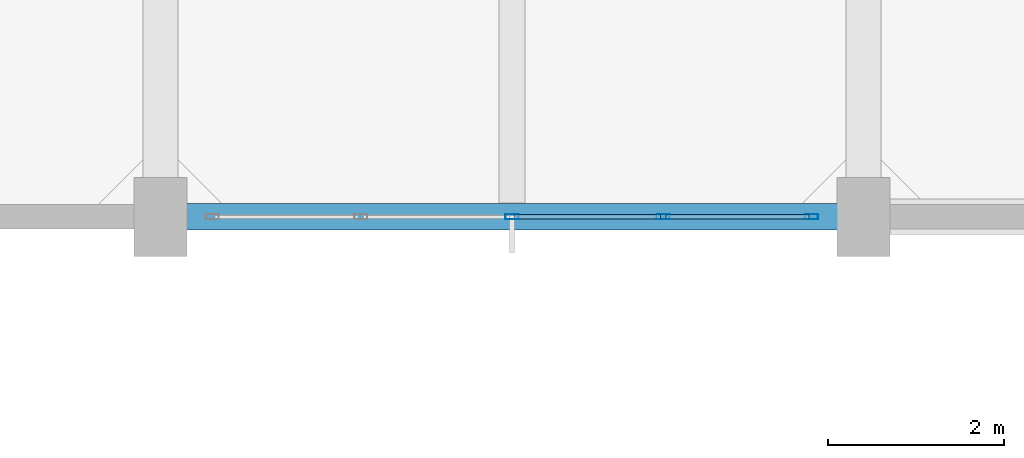
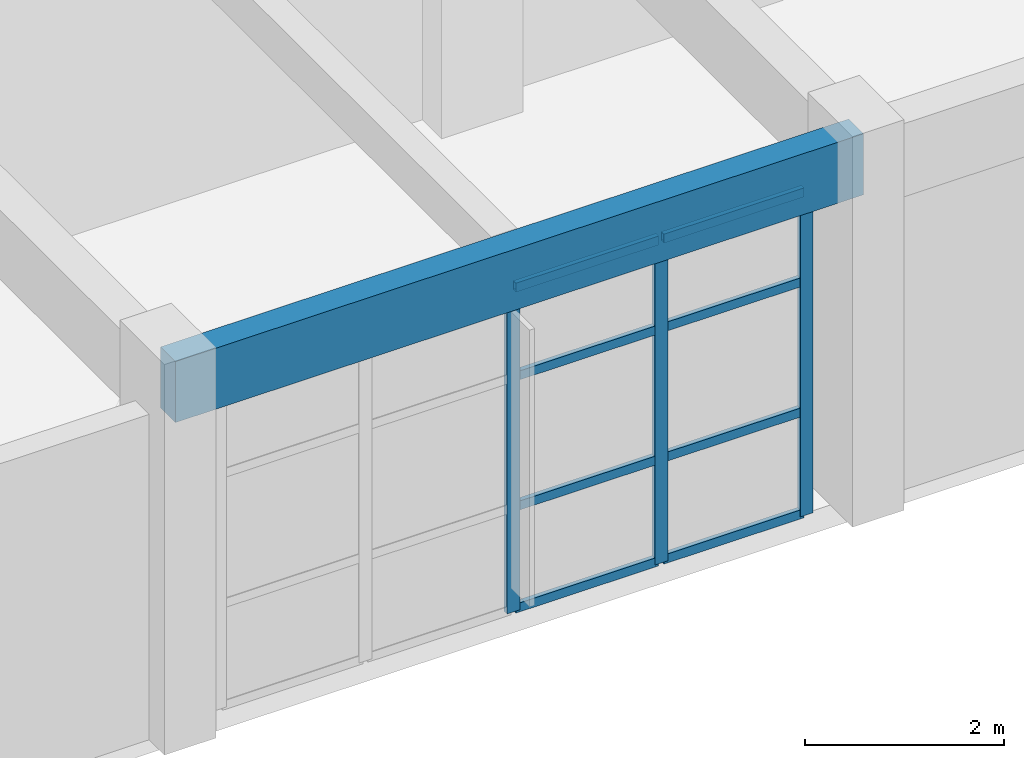
# One storey, part 11 of 63: 11 members, 1 beam, 1 element without a shape of its own.
"""IFC4 building model written with IfcOpenShell, lengths in metres."""

from ifc_helpers import new_model, si_unit, direction, frame, origin, origin_2d, place, context, subcontext, project, spatial, rectangle, hollow_rectangle, extrude, material, layer, layer_set, material_profile, profile_set, type_object, element, aggregate, save


model = new_model("IFC4")

# Units and contexts
model_context = context("Model", 3, precision=1e-05, world=origin(), true_north=direction((0.0, 1.0)))
body_context = subcontext(model_context, "Body", "Model", "MODEL_VIEW")
ifc_project = project(units=[si_unit("LENGTHUNIT", "METRE"), si_unit("AREAUNIT", "SQUARE_METRE"), si_unit("VOLUMEUNIT", "CUBIC_METRE"), si_unit("PLANEANGLEUNIT", "RADIAN"), si_unit("MASSUNIT", "GRAM", prefix="KILO")], contexts=[model_context])

# Site, building, storey
site_placement = place(None, origin())
site = spatial("IfcSite", under=ifc_project, at=site_placement, CompositionType="ELEMENT")
building_placement = place(site_placement, origin())
building = spatial("IfcBuilding", under=site, at=building_placement, Name="Canggui Botanical Conservatory", CompositionType="ELEMENT")
storey_placement = place(building_placement, frame((0.0, 0.0, 10.199951171875)))
storey = spatial("IfcBuildingStorey", under=building, at=storey_placement, Name="L03", CompositionType="ELEMENT", Elevation=10.199951171875)

# Beam
ifc_material_1 = material(Name="Concrete C35", Category="concrete")
ifc_material_profile_1 = material_profile(ifc_material_1, rectangle(XDim=0.300048828125, YDim=0.75, at=origin_2d()), Name="RB 300x750")
ifc_profile_set_1 = profile_set([ifc_material_profile_1], Name="Concrete C35")
beam_type = type_object("IfcBeamType", Name="BM-SPD01", PredefinedType="SPANDREL", material=ifc_profile_set_1)
beam_placement = place(storey_placement, frame((138.0, 26.0, 4.175048828125), z_axis=(1.0, 0.0, 0.0), x_axis=(0.0, 1.0, 0.0)))
element("IfcBeam", 1, at=beam_placement, inside=storey, type_object=beam_type, Name="Frame Girder L03 Y26-1", PredefinedType="SPANDREL", context=body_context, shape_type="SweptSolid", body=[
    extrude(rectangle(XDim=0.300048828125, YDim=0.75, at=origin_2d()), origin(), (0.0, 0.0, 1.0), 8.0),
])

# Curtain wall, members
ifc_material_2 = material(Name="Thermally Broken Aluminium", Category="aluminium")
ifc_layer = layer(ifc_material_2, 0.14990234375, Name="Thermally Broken Aluminium", Category="aluminium")
ifc_layer_set = layer_set([ifc_layer], Name="Thermally Broken Aluminium")
curtain_wall_type = type_object("IfcCurtainWallType", Name="CW-UNIT-C", PredefinedType="USERDEFINED", material=ifc_layer_set)
curtain_wall_placement = place(storey_placement, origin())
curtain_wall = element("IfcCurtainWall", 2, at=curtain_wall_placement, inside=storey, type_object=curtain_wall_type, Name="Facade Curtain Wall CW-TWR-L03-05", ObjectType="UNITISED CURTAIN WALL", PredefinedType="USERDEFINED")
ifc_material_profile_2 = material_profile(ifc_material_2, hollow_rectangle(XDim=0.06005859375, YDim=0.14990234375, WallThickness=0.00341796875, at=origin_2d()), Name="CWM 60x150x3.5")
ifc_profile_set_2 = profile_set([ifc_material_profile_2], Name="Thermally Broken Aluminium")
member_type_1 = type_object("IfcMemberType", Name="CWM-03", PredefinedType="MULLION", material=ifc_profile_set_2)
member_1_placement = place(storey_placement, frame((145.409912109375, 26.0, 0.0), z_axis=(0.0, 0.0, 1.0), x_axis=(0.0, -1.0, 0.0)))
member_1 = element("IfcMember", 3, at=member_1_placement, type_object=member_type_1, Name="CW-03 mullion 1", PredefinedType="MULLION", context=body_context, shape_type="SweptSolid", body=[
    extrude(hollow_rectangle(XDim=0.06005859375, YDim=0.14990234375, WallThickness=0.00341796875, at=origin_2d()), origin(), (0.0, 0.0, 1.0), 4.0),
])
member_2_placement = place(storey_placement, frame((143.719970703125, 26.0, 0.0), z_axis=(0.0, 0.0, 1.0), x_axis=(0.0, -1.0, 0.0)))
member_2 = element("IfcMember", 4, at=member_2_placement, type_object=member_type_1, Name="CW-03 mullion 2", PredefinedType="MULLION", context=body_context, shape_type="SweptSolid", body=[
    extrude(hollow_rectangle(XDim=0.06005859375, YDim=0.14990234375, WallThickness=0.00341796875, at=origin_2d()), origin(), (0.0, 0.0, 1.0), 4.0),
])
member_3_placement = place(storey_placement, frame((142.0, 26.0, 0.0), z_axis=(0.0, 0.0, 1.0), x_axis=(0.0, -1.0, 0.0)))
member_3 = element("IfcMember", 5, at=member_3_placement, type_object=member_type_1, Name="CW-03 mullion 3", PredefinedType="MULLION", context=body_context, shape_type="SweptSolid", body=[
    extrude(hollow_rectangle(XDim=0.06005859375, YDim=0.14990234375, WallThickness=0.00341796875, at=origin_2d()), origin(), (0.0, 0.0, 1.0), 4.0),
])
ifc_material_profile_3 = material_profile(ifc_material_2, hollow_rectangle(XDim=0.054931640625, YDim=0.110107421875, WallThickness=0.0029296875, at=origin_2d()), Name="CWT 55x110x3")
ifc_profile_set_3 = profile_set([ifc_material_profile_3], Name="Thermally Broken Aluminium")
member_type_2 = type_object("IfcMemberType", Name="CWT-03", PredefinedType="USERDEFINED", material=ifc_profile_set_3)
member_4_placement = place(storey_placement, frame((145.3798828125, 26.0, 0.027587890625), z_axis=(-1.0, 0.0, 0.0), x_axis=(0.0, -1.0, 0.0)))
member_4 = element("IfcMember", 6, at=member_4_placement, type_object=member_type_2, Name="CW-03 transom 1.1", ObjectType="TRANSOM", PredefinedType="USERDEFINED", context=body_context, shape_type="SweptSolid", body=[
    extrude(hollow_rectangle(XDim=0.054931640625, YDim=0.110107421875, WallThickness=0.0029296875, at=origin_2d()), origin(), (0.0, 0.0, 1.0), 1.6298828125),
])
member_5_placement = place(storey_placement, frame((145.3798828125, 26.0, 1.280029296875), z_axis=(-1.0, 0.0, 0.0), x_axis=(0.0, -1.0, 0.0)))
member_5 = element("IfcMember", 7, at=member_5_placement, type_object=member_type_2, Name="CW-03 transom 1.2", ObjectType="TRANSOM", PredefinedType="USERDEFINED", context=body_context, shape_type="SweptSolid", body=[
    extrude(hollow_rectangle(XDim=0.054931640625, YDim=0.110107421875, WallThickness=0.0029296875, at=origin_2d()), origin(), (0.0, 0.0, 1.0), 1.6298828125),
])
member_6_placement = place(storey_placement, frame((145.3798828125, 26.0, 2.880126953125), z_axis=(-1.0, 0.0, 0.0), x_axis=(0.0, -1.0, 0.0)))
member_6 = element("IfcMember", 8, at=member_6_placement, type_object=member_type_2, Name="CW-03 transom 1.3", ObjectType="TRANSOM", PredefinedType="USERDEFINED", context=body_context, shape_type="SweptSolid", body=[
    extrude(hollow_rectangle(XDim=0.054931640625, YDim=0.110107421875, WallThickness=0.0029296875, at=origin_2d()), origin(), (0.0, 0.0, 1.0), 1.6298828125),
])
member_7_placement = place(storey_placement, frame((145.3798828125, 26.0, 3.97265625), z_axis=(-1.0, 0.0, 0.0), x_axis=(0.0, -1.0, 0.0)))
member_7 = element("IfcMember", 9, at=member_7_placement, type_object=member_type_2, Name="CW-03 transom 1.4", ObjectType="TRANSOM", PredefinedType="USERDEFINED", context=body_context, shape_type="SweptSolid", body=[
    extrude(hollow_rectangle(XDim=0.054931640625, YDim=0.110107421875, WallThickness=0.0029296875, at=origin_2d()), origin(), (0.0, 0.0, 1.0), 1.6298828125),
])
member_8_placement = place(storey_placement, frame((143.68994140625, 26.0, 0.027587890625), z_axis=(-1.0, 0.0, 0.0), x_axis=(0.0, -1.0, 0.0)))
member_8 = element("IfcMember", 10, at=member_8_placement, type_object=member_type_2, Name="CW-03 transom 2.1", ObjectType="TRANSOM", PredefinedType="USERDEFINED", context=body_context, shape_type="SweptSolid", body=[
    extrude(hollow_rectangle(XDim=0.054931640625, YDim=0.110107421875, WallThickness=0.0029296875, at=origin_2d()), origin(), (0.0, 0.0, 1.0), 1.659912109375),
])
member_9_placement = place(storey_placement, frame((143.68994140625, 26.0, 1.280029296875), z_axis=(-1.0, 0.0, 0.0), x_axis=(0.0, -1.0, 0.0)))
member_9 = element("IfcMember", 11, at=member_9_placement, type_object=member_type_2, Name="CW-03 transom 2.2", ObjectType="TRANSOM", PredefinedType="USERDEFINED", context=body_context, shape_type="SweptSolid", body=[
    extrude(hollow_rectangle(XDim=0.054931640625, YDim=0.110107421875, WallThickness=0.0029296875, at=origin_2d()), origin(), (0.0, 0.0, 1.0), 1.659912109375),
])
member_10_placement = place(storey_placement, frame((143.68994140625, 26.0, 2.880126953125), z_axis=(-1.0, 0.0, 0.0), x_axis=(0.0, -1.0, 0.0)))
member_10 = element("IfcMember", 12, at=member_10_placement, type_object=member_type_2, Name="CW-03 transom 2.3", ObjectType="TRANSOM", PredefinedType="USERDEFINED", context=body_context, shape_type="SweptSolid", body=[
    extrude(hollow_rectangle(XDim=0.054931640625, YDim=0.110107421875, WallThickness=0.0029296875, at=origin_2d()), origin(), (0.0, 0.0, 1.0), 1.659912109375),
])
member_11_placement = place(storey_placement, frame((143.68994140625, 26.0, 3.97265625), z_axis=(-1.0, 0.0, 0.0), x_axis=(0.0, -1.0, 0.0)))
member_11 = element("IfcMember", 13, at=member_11_placement, type_object=member_type_2, Name="CW-03 transom 2.4", ObjectType="TRANSOM", PredefinedType="USERDEFINED", context=body_context, shape_type="SweptSolid", body=[
    extrude(hollow_rectangle(XDim=0.054931640625, YDim=0.110107421875, WallThickness=0.0029296875, at=origin_2d()), origin(), (0.0, 0.0, 1.0), 1.659912109375),
])
aggregate(curtain_wall, [member_1, member_2, member_3, member_4, member_5, member_6, member_7, member_8, member_9, member_10, member_11])

save(model, "model.ifc")
